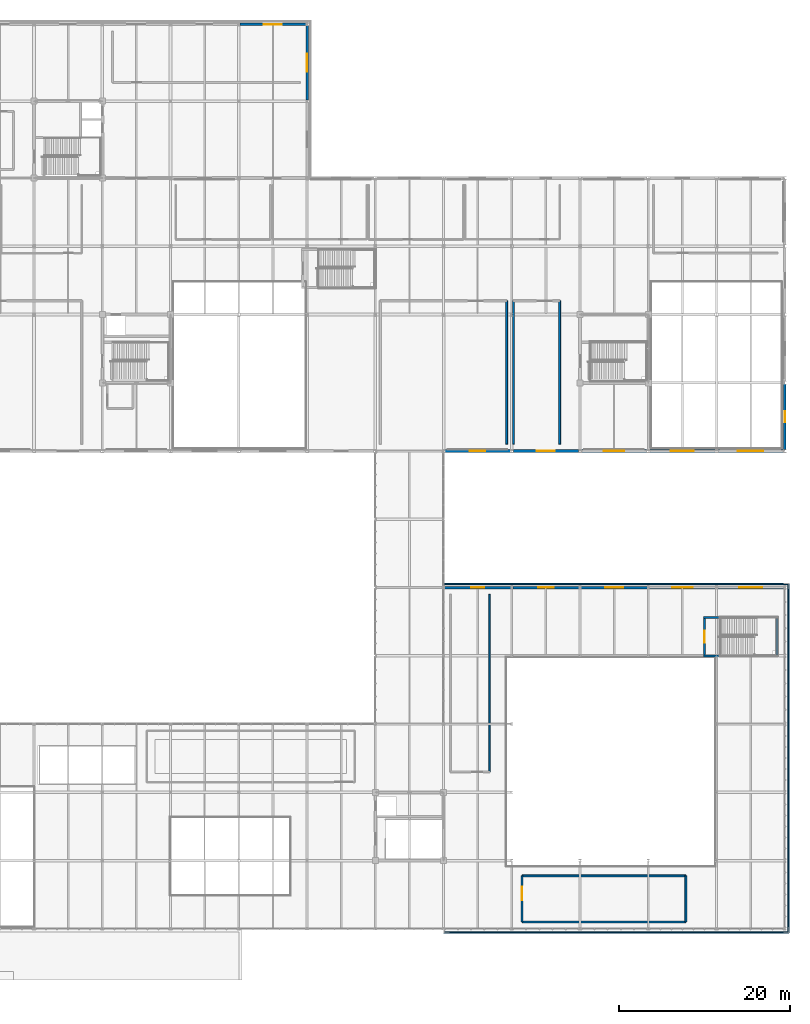
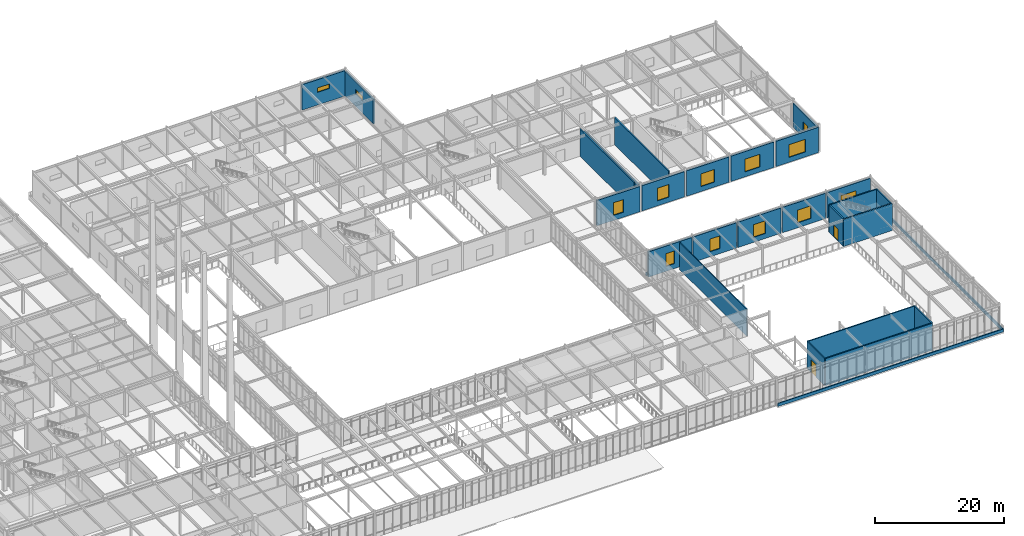
# One storey, part 168 of 184: 28 walls, 13 windows, 2 doors, 15 openings.
"""IFC4 building model written with IfcOpenShell, lengths in metres."""

from ifc_helpers import new_model, si_unit, direction, frame, frame_2d, origin, place, context, subcontext, project, spatial, rectangle, extrude, material, layer, layer_set, type_object, element, fill, save


model = new_model("IFC4")

# Units and contexts
model_context = context("Model", 3, precision=1e-05, world=origin(), true_north=direction((0.0, 1.0)))
body_context = subcontext(model_context, "Body", "Model", "MODEL_VIEW")
ifc_project = project(units=[si_unit("LENGTHUNIT", "METRE"), si_unit("AREAUNIT", "SQUARE_METRE"), si_unit("VOLUMEUNIT", "CUBIC_METRE"), si_unit("PLANEANGLEUNIT", "RADIAN"), si_unit("MASSUNIT", "GRAM", prefix="KILO")], contexts=[model_context])

# Site, building, storey
site_placement = place(None, origin())
site = spatial("IfcSite", under=ifc_project, at=site_placement, CompositionType="ELEMENT")
building_placement = place(site_placement, origin())
building = spatial("IfcBuilding", under=site, at=building_placement, Name="Zhaolan Boulevard Law Courts", CompositionType="ELEMENT")
storey_placement = place(building_placement, frame((0.0, 0.0, 5.39990234375)))
storey = spatial("IfcBuildingStorey", under=building, at=storey_placement, Name="L01", CompositionType="ELEMENT", Elevation=5.39990234375)

# Walls
ifc_material_1 = material(Name="Concrete C40", Category="concrete")
ifc_layer_1 = layer(ifc_material_1, 0.179931640625)
ifc_layer_set_1 = layer_set([ifc_layer_1])
wall_type_1 = type_object("IfcWallType", Name="EXT WALL ARCH CLAD180", PredefinedType="SOLIDWALL", material=ifc_layer_set_1)
wall_1_placement = place(storey_placement, frame((124.0, 5.56005859375, 0.0), z_axis=(0.0, 0.0, 1.0), x_axis=(1.0, 0.0, 0.0)))
element("IfcWall", 1, at=wall_1_placement, inside=storey, type_object=wall_type_1, Name="Architectural Concrete Spandrel Band CBW-002", PredefinedType="SOLIDWALL", context=body_context, shape_type="SweptSolid", body=[
    extrude(rectangle(XDim=40.43994140625, YDim=0.179931640625, at=frame_2d((20.219970703125, 0.0))), origin(), (0.0, 0.0, 1.0), 0.580078125),
])
wall_2_placement = place(storey_placement, frame((164.43994140625, 5.56005859375, 0.0), z_axis=(0.0, 0.0, 1.0), x_axis=(0.0, 1.0, 0.0)))
element("IfcWall", 2, at=wall_2_placement, inside=storey, type_object=wall_type_1, Name="Architectural Concrete Spandrel Band CBW-005", PredefinedType="SOLIDWALL", context=body_context, shape_type="SweptSolid", body=[
    extrude(rectangle(XDim=40.8798828125, YDim=0.179931640625, at=frame_2d((20.43994140625, 0.0))), origin(), (0.0, 0.0, 1.0), 0.580078125),
])
wall_3_placement = place(storey_placement, frame((164.43994140625, 46.43994140625, 0.0), z_axis=(0.0, 0.0, 1.0), x_axis=(-1.0, 0.0, 0.0)))
element("IfcWall", 3, at=wall_3_placement, inside=storey, type_object=wall_type_1, Name="Architectural Concrete Spandrel Band CBW-008", PredefinedType="SOLIDWALL", context=body_context, shape_type="SweptSolid", body=[
    extrude(rectangle(XDim=40.43994140625, YDim=0.179931640625, at=frame_2d((20.219970703125, 0.0))), origin(), (0.0, 0.0, 1.0), 0.580078125),
])

# Wall, opening, window
ifc_material_2 = material(Name="Concrete C40", Category="concrete")
ifc_layer_2 = layer(ifc_material_2, 0.300048828125)
ifc_layer_set_2 = layer_set([ifc_layer_2])
wall_type_2 = type_object("IfcWallType", Name="EXT WALL CONCRETE300", PredefinedType="SOLIDWALL", material=ifc_layer_set_2)
wall_4_placement = place(storey_placement, frame((131.87890625, 46.0, 0.0), z_axis=(0.0, 0.0, 1.0), x_axis=(-1.0, 0.0, 0.0)))
wall_4 = element("IfcWall", 4, at=wall_4_placement, inside=storey, type_object=wall_type_2, Name="Exterior Wall EW-L01-158", PredefinedType="SOLIDWALL", context=body_context, shape_type="SweptSolid", body=[
    extrude(rectangle(XDim=7.7578125, YDim=0.300048828125, at=frame_2d((3.87890625, 0.0))), origin(), (0.0, 0.0, 1.0), 4.802978515625),
])
opening_1_placement = place(wall_4_placement, frame((3.12890625, 0.0, 0.949951171875)))
opening_1 = element("IfcOpeningElement", 5, at=opening_1_placement, cuts=wall_4, Name="Opening WIN-L01-019", PredefinedType="OPENING", context=body_context, shape_type="SweptSolid", body=[
    extrude(rectangle(XDim=1.5, YDim=2.39990234375, at=frame_2d((0.75, 1.199951171875))), frame((0.0, 0.159912109375, 0.0), z_axis=(0.0, -1.0, 0.0), x_axis=(1.0, 0.0, 0.0)), (0.0, 0.0, 1.0), 0.320068359375),
])
ifc_material_3 = material(Name="Thermally broken aluminium and low-E glazing", Category="aluminium")
window_type_1 = type_object("IfcWindowType", Name="WINDOW 1500X2400", PartitioningType="SINGLE_PANEL", PredefinedType="WINDOW", material=ifc_material_3)
window_1_placement = place(opening_1_placement, origin())
window_1 = element("IfcWindow", 6, at=window_1_placement, inside=storey, type_object=window_type_1, Name="Exterior Window WIN-L01-019", OverallHeight=2.39990234375, OverallWidth=1.5, PartitioningType="SINGLE_PANEL", PredefinedType="WINDOW", context=body_context, shape_type="SweptSolid", body=[
    extrude(rectangle(XDim=1.5, YDim=2.39990234375, at=frame_2d((0.75, 1.199951171875))), frame((0.0, 0.030029296875, 0.0), z_axis=(0.0, -1.0, 0.0), x_axis=(1.0, 0.0, 0.0)), (0.0, 0.0, 1.0), 0.06005859375),
])
fill(opening_1, window_1)

wall_5_placement = place(storey_placement, frame((139.87890625, 46.0, 0.0), z_axis=(0.0, 0.0, 1.0), x_axis=(-1.0, 0.0, 0.0)))
wall_5 = element("IfcWall", 7, at=wall_5_placement, inside=storey, type_object=wall_type_2, Name="Exterior Wall EW-L01-159", PredefinedType="SOLIDWALL", context=body_context, shape_type="SweptSolid", body=[
    extrude(rectangle(XDim=7.7578125, YDim=0.300048828125, at=frame_2d((3.87890625, 0.0))), origin(), (0.0, 0.0, 1.0), 4.802978515625),
])
opening_2_placement = place(wall_5_placement, frame((2.97900390625, 0.0, 0.949951171875)))
opening_2 = element("IfcOpeningElement", 8, at=opening_2_placement, cuts=wall_5, Name="Opening WIN-L01-020", PredefinedType="OPENING", context=body_context, shape_type="SweptSolid", body=[
    extrude(rectangle(XDim=1.800048828125, YDim=2.39990234375, at=frame_2d((0.89990234375, 1.199951171875))), frame((0.0, 0.159912109375, 0.0), z_axis=(0.0, -1.0, 0.0), x_axis=(1.0, 0.0, 0.0)), (0.0, 0.0, 1.0), 0.320068359375),
])
ifc_material_4 = material(Name="Thermally broken aluminium and low-E glazing", Category="aluminium")
window_type_2 = type_object("IfcWindowType", Name="WINDOW 1800X2400", PartitioningType="DOUBLE_PANEL_VERTICAL", PredefinedType="WINDOW", material=ifc_material_4)
window_2_placement = place(opening_2_placement, origin())
window_2 = element("IfcWindow", 9, at=window_2_placement, inside=storey, type_object=window_type_2, Name="Exterior Window WIN-L01-020", OverallHeight=2.39990234375, OverallWidth=1.800048828125, PartitioningType="SINGLE_PANEL", PredefinedType="WINDOW", context=body_context, shape_type="SweptSolid", body=[
    extrude(rectangle(XDim=1.800048828125, YDim=2.39990234375, at=frame_2d((0.89990234375, 1.199951171875))), frame((0.0, 0.030029296875, 0.0), z_axis=(0.0, -1.0, 0.0), x_axis=(1.0, 0.0, 0.0)), (0.0, 0.0, 1.0), 0.06005859375),
])
fill(opening_2, window_2)

wall_6_placement = place(storey_placement, frame((147.87890625, 46.0, 0.0), z_axis=(0.0, 0.0, 1.0), x_axis=(-1.0, 0.0, 0.0)))
wall_6 = element("IfcWall", 10, at=wall_6_placement, inside=storey, type_object=wall_type_2, Name="Exterior Wall EW-L01-160", PredefinedType="SOLIDWALL", context=body_context, shape_type="SweptSolid", body=[
    extrude(rectangle(XDim=7.7578125, YDim=0.300048828125, at=frame_2d((3.87890625, 0.0))), origin(), (0.0, 0.0, 1.0), 4.802978515625),
])
opening_3_placement = place(wall_6_placement, frame((2.8291015625, 0.0, 0.949951171875)))
opening_3 = element("IfcOpeningElement", 11, at=opening_3_placement, cuts=wall_6, Name="Opening WIN-L01-021", PredefinedType="OPENING", context=body_context, shape_type="SweptSolid", body=[
    extrude(rectangle(XDim=2.10009765625, YDim=2.39990234375, at=frame_2d((1.050048828125, 1.199951171875))), frame((0.0, 0.159912109375, 0.0), z_axis=(0.0, -1.0, 0.0), x_axis=(1.0, 0.0, 0.0)), (0.0, 0.0, 1.0), 0.320068359375),
])
ifc_material_5 = material(Name="Thermally broken aluminium and low-E glazing", Category="aluminium")
window_type_3 = type_object("IfcWindowType", Name="WINDOW 2100X2400", PartitioningType="DOUBLE_PANEL_VERTICAL", PredefinedType="WINDOW", material=ifc_material_5)
window_3_placement = place(opening_3_placement, origin())
window_3 = element("IfcWindow", 12, at=window_3_placement, inside=storey, type_object=window_type_3, Name="Exterior Window WIN-L01-021", OverallHeight=2.39990234375, OverallWidth=2.10009765625, PartitioningType="SINGLE_PANEL", PredefinedType="WINDOW", context=body_context, shape_type="SweptSolid", body=[
    extrude(rectangle(XDim=2.10009765625, YDim=2.39990234375, at=frame_2d((1.050048828125, 1.199951171875))), frame((0.0, 0.030029296875, 0.0), z_axis=(0.0, -1.0, 0.0), x_axis=(1.0, 0.0, 0.0)), (0.0, 0.0, 1.0), 0.06005859375),
])
fill(opening_3, window_3)

wall_7_placement = place(storey_placement, frame((155.87890625, 46.0, 0.0), z_axis=(0.0, 0.0, 1.0), x_axis=(-1.0, 0.0, 0.0)))
wall_7 = element("IfcWall", 13, at=wall_7_placement, inside=storey, type_object=wall_type_2, Name="Exterior Wall EW-L01-161", PredefinedType="SOLIDWALL", context=body_context, shape_type="SweptSolid", body=[
    extrude(rectangle(XDim=7.7578125, YDim=0.300048828125, at=frame_2d((3.87890625, 0.0))), origin(), (0.0, 0.0, 1.0), 4.802978515625),
])
opening_4_placement = place(wall_7_placement, frame((2.678955078125, 0.0, 0.949951171875)))
opening_4 = element("IfcOpeningElement", 14, at=opening_4_placement, cuts=wall_7, Name="Opening WIN-L01-022", PredefinedType="OPENING", context=body_context, shape_type="SweptSolid", body=[
    extrude(rectangle(XDim=2.39990234375, YDim=2.39990234375, at=frame_2d((1.199951171875, 1.199951171875))), frame((0.0, 0.159912109375, 0.0), z_axis=(0.0, -1.0, 0.0), x_axis=(1.0, 0.0, 0.0)), (0.0, 0.0, 1.0), 0.320068359375),
])
ifc_material_6 = material(Name="Thermally broken aluminium and low-E glazing", Category="aluminium")
window_type_4 = type_object("IfcWindowType", Name="WINDOW 2400X2400", PartitioningType="DOUBLE_PANEL_VERTICAL", PredefinedType="WINDOW", material=ifc_material_6)
window_4_placement = place(opening_4_placement, origin())
window_4 = element("IfcWindow", 15, at=window_4_placement, inside=storey, type_object=window_type_4, Name="Exterior Window WIN-L01-022", OverallHeight=2.39990234375, OverallWidth=2.39990234375, PartitioningType="SINGLE_PANEL", PredefinedType="WINDOW", context=body_context, shape_type="SweptSolid", body=[
    extrude(rectangle(XDim=2.39990234375, YDim=2.39990234375, at=frame_2d((1.199951171875, 1.199951171875))), frame((0.0, 0.030029296875, 0.0), z_axis=(0.0, -1.0, 0.0), x_axis=(1.0, 0.0, 0.0)), (0.0, 0.0, 1.0), 0.06005859375),
])
fill(opening_4, window_4)

wall_8_placement = place(storey_placement, frame((163.87890625, 46.0, 0.0), z_axis=(0.0, 0.0, 1.0), x_axis=(-1.0, 0.0, 0.0)))
wall_8 = element("IfcWall", 16, at=wall_8_placement, inside=storey, type_object=wall_type_2, Name="Exterior Wall EW-L01-162", PredefinedType="SOLIDWALL", context=body_context, shape_type="SweptSolid", body=[
    extrude(rectangle(XDim=7.7578125, YDim=0.300048828125, at=frame_2d((3.87890625, 0.0))), origin(), (0.0, 0.0, 1.0), 4.802978515625),
])
opening_5_placement = place(wall_8_placement, frame((2.529052734375, 0.0, 0.949951171875)))
opening_5 = element("IfcOpeningElement", 17, at=opening_5_placement, cuts=wall_8, Name="Opening WIN-L01-023", PredefinedType="OPENING", context=body_context, shape_type="SweptSolid", body=[
    extrude(rectangle(XDim=2.699951171875, YDim=2.39990234375, at=frame_2d((1.35009765625, 1.199951171875))), frame((0.0, 0.159912109375, 0.0), z_axis=(0.0, -1.0, 0.0), x_axis=(1.0, 0.0, 0.0)), (0.0, 0.0, 1.0), 0.320068359375),
])
ifc_material_7 = material(Name="Thermally broken aluminium and low-E glazing", Category="aluminium")
window_type_5 = type_object("IfcWindowType", Name="WINDOW 2700X2400", PartitioningType="DOUBLE_PANEL_VERTICAL", PredefinedType="WINDOW", material=ifc_material_7)
window_5_placement = place(opening_5_placement, origin())
window_5 = element("IfcWindow", 18, at=window_5_placement, inside=storey, type_object=window_type_5, Name="Exterior Window WIN-L01-023", OverallHeight=2.39990234375, OverallWidth=2.699951171875, PartitioningType="SINGLE_PANEL", PredefinedType="WINDOW", context=body_context, shape_type="SweptSolid", body=[
    extrude(rectangle(XDim=2.699951171875, YDim=2.39990234375, at=frame_2d((1.35009765625, 1.199951171875))), frame((0.0, 0.030029296875, 0.0), z_axis=(0.0, -1.0, 0.0), x_axis=(1.0, 0.0, 0.0)), (0.0, 0.0, 1.0), 0.06005859375),
])
fill(opening_5, window_5)

wall_9_placement = place(storey_placement, frame((124.1708984375, 62.0, 0.0), z_axis=(0.0, 0.0, 1.0), x_axis=(1.0, 0.0, 0.0)))
wall_9 = element("IfcWall", 19, at=wall_9_placement, inside=storey, type_object=wall_type_2, Name="Exterior Wall EW-L01-212", PredefinedType="SOLIDWALL", context=body_context, shape_type="SweptSolid", body=[
    extrude(rectangle(XDim=7.658203125, YDim=0.300048828125, at=frame_2d((3.8291015625, 0.0))), origin(), (0.0, 0.0, 1.0), 4.802978515625),
])
opening_6_placement = place(wall_9_placement, frame((2.928955078125, 0.0, 0.949951171875)))
opening_6 = element("IfcOpeningElement", 20, at=opening_6_placement, cuts=wall_9, Name="Opening WIN-L01-069", PredefinedType="OPENING", context=body_context, shape_type="SweptSolid", body=[
    extrude(rectangle(XDim=1.800048828125, YDim=2.39990234375, at=frame_2d((0.89990234375, 1.199951171875))), frame((0.0, 0.159912109375, 0.0), z_axis=(0.0, -1.0, 0.0), x_axis=(1.0, 0.0, 0.0)), (0.0, 0.0, 1.0), 0.320068359375),
])
window_6_placement = place(opening_6_placement, origin())
window_6 = element("IfcWindow", 21, at=window_6_placement, inside=storey, type_object=window_type_2, Name="Exterior Window WIN-L01-069", OverallHeight=2.39990234375, OverallWidth=1.800048828125, PartitioningType="SINGLE_PANEL", PredefinedType="WINDOW", context=body_context, shape_type="SweptSolid", body=[
    extrude(rectangle(XDim=1.800048828125, YDim=2.39990234375, at=frame_2d((0.89990234375, 1.199951171875))), frame((0.0, 0.030029296875, 0.0), z_axis=(0.0, -1.0, 0.0), x_axis=(1.0, 0.0, 0.0)), (0.0, 0.0, 1.0), 0.06005859375),
])
fill(opening_6, window_6)

wall_10_placement = place(storey_placement, frame((132.1708984375, 62.0, 0.0), z_axis=(0.0, 0.0, 1.0), x_axis=(1.0, 0.0, 0.0)))
wall_10 = element("IfcWall", 22, at=wall_10_placement, inside=storey, type_object=wall_type_2, Name="Exterior Wall EW-L01-213", PredefinedType="SOLIDWALL", context=body_context, shape_type="SweptSolid", body=[
    extrude(rectangle(XDim=7.658203125, YDim=0.300048828125, at=frame_2d((3.8291015625, 0.0))), origin(), (0.0, 0.0, 1.0), 4.802978515625),
])
opening_7_placement = place(wall_10_placement, frame((2.779052734375, 0.0, 0.949951171875)))
opening_7 = element("IfcOpeningElement", 23, at=opening_7_placement, cuts=wall_10, Name="Opening WIN-L01-070", PredefinedType="OPENING", context=body_context, shape_type="SweptSolid", body=[
    extrude(rectangle(XDim=2.10009765625, YDim=2.39990234375, at=frame_2d((1.050048828125, 1.199951171875))), frame((0.0, 0.159912109375, 0.0), z_axis=(0.0, -1.0, 0.0), x_axis=(1.0, 0.0, 0.0)), (0.0, 0.0, 1.0), 0.320068359375),
])
window_7_placement = place(opening_7_placement, origin())
window_7 = element("IfcWindow", 24, at=window_7_placement, inside=storey, type_object=window_type_3, Name="Exterior Window WIN-L01-070", OverallHeight=2.39990234375, OverallWidth=2.10009765625, PartitioningType="SINGLE_PANEL", PredefinedType="WINDOW", context=body_context, shape_type="SweptSolid", body=[
    extrude(rectangle(XDim=2.10009765625, YDim=2.39990234375, at=frame_2d((1.050048828125, 1.199951171875))), frame((0.0, 0.030029296875, 0.0), z_axis=(0.0, -1.0, 0.0), x_axis=(1.0, 0.0, 0.0)), (0.0, 0.0, 1.0), 0.06005859375),
])
fill(opening_7, window_7)

wall_11_placement = place(storey_placement, frame((140.1708984375, 62.0, 0.0), z_axis=(0.0, 0.0, 1.0), x_axis=(1.0, 0.0, 0.0)))
wall_11 = element("IfcWall", 25, at=wall_11_placement, inside=storey, type_object=wall_type_2, Name="Exterior Wall EW-L01-214", PredefinedType="SOLIDWALL", context=body_context, shape_type="SweptSolid", body=[
    extrude(rectangle(XDim=7.658203125, YDim=0.300048828125, at=frame_2d((3.8291015625, 0.0))), origin(), (0.0, 0.0, 1.0), 4.802978515625),
])
opening_8_placement = place(wall_11_placement, frame((2.62890625, 0.0, 0.949951171875)))
opening_8 = element("IfcOpeningElement", 26, at=opening_8_placement, cuts=wall_11, Name="Opening WIN-L01-071", PredefinedType="OPENING", context=body_context, shape_type="SweptSolid", body=[
    extrude(rectangle(XDim=2.39990234375, YDim=2.39990234375, at=frame_2d((1.199951171875, 1.199951171875))), frame((0.0, 0.159912109375, 0.0), z_axis=(0.0, -1.0, 0.0), x_axis=(1.0, 0.0, 0.0)), (0.0, 0.0, 1.0), 0.320068359375),
])
window_8_placement = place(opening_8_placement, origin())
window_8 = element("IfcWindow", 27, at=window_8_placement, inside=storey, type_object=window_type_4, Name="Exterior Window WIN-L01-071", OverallHeight=2.39990234375, OverallWidth=2.39990234375, PartitioningType="SINGLE_PANEL", PredefinedType="WINDOW", context=body_context, shape_type="SweptSolid", body=[
    extrude(rectangle(XDim=2.39990234375, YDim=2.39990234375, at=frame_2d((1.199951171875, 1.199951171875))), frame((0.0, 0.030029296875, 0.0), z_axis=(0.0, -1.0, 0.0), x_axis=(1.0, 0.0, 0.0)), (0.0, 0.0, 1.0), 0.06005859375),
])
fill(opening_8, window_8)

wall_12_placement = place(storey_placement, frame((148.1708984375, 62.0, 0.0), z_axis=(0.0, 0.0, 1.0), x_axis=(1.0, 0.0, 0.0)))
wall_12 = element("IfcWall", 28, at=wall_12_placement, inside=storey, type_object=wall_type_2, Name="Exterior Wall EW-L01-215", PredefinedType="SOLIDWALL", context=body_context, shape_type="SweptSolid", body=[
    extrude(rectangle(XDim=7.658203125, YDim=0.300048828125, at=frame_2d((3.8291015625, 0.0))), origin(), (0.0, 0.0, 1.0), 4.802978515625),
])
opening_9_placement = place(wall_12_placement, frame((2.47900390625, 0.0, 0.949951171875)))
opening_9 = element("IfcOpeningElement", 29, at=opening_9_placement, cuts=wall_12, Name="Opening WIN-L01-072", PredefinedType="OPENING", context=body_context, shape_type="SweptSolid", body=[
    extrude(rectangle(XDim=2.699951171875, YDim=2.39990234375, at=frame_2d((1.35009765625, 1.199951171875))), frame((0.0, 0.159912109375, 0.0), z_axis=(0.0, -1.0, 0.0), x_axis=(1.0, 0.0, 0.0)), (0.0, 0.0, 1.0), 0.320068359375),
])
window_9_placement = place(opening_9_placement, origin())
window_9 = element("IfcWindow", 30, at=window_9_placement, inside=storey, type_object=window_type_5, Name="Exterior Window WIN-L01-072", OverallHeight=2.39990234375, OverallWidth=2.699951171875, PartitioningType="SINGLE_PANEL", PredefinedType="WINDOW", context=body_context, shape_type="SweptSolid", body=[
    extrude(rectangle(XDim=2.699951171875, YDim=2.39990234375, at=frame_2d((1.35009765625, 1.199951171875))), frame((0.0, 0.030029296875, 0.0), z_axis=(0.0, -1.0, 0.0), x_axis=(1.0, 0.0, 0.0)), (0.0, 0.0, 1.0), 0.06005859375),
])
fill(opening_9, window_9)

wall_13_placement = place(storey_placement, frame((156.1708984375, 62.0, 0.0), z_axis=(0.0, 0.0, 1.0), x_axis=(1.0, 0.0, 0.0)))
wall_13 = element("IfcWall", 31, at=wall_13_placement, inside=storey, type_object=wall_type_2, Name="Exterior Wall EW-L01-216", PredefinedType="SOLIDWALL", context=body_context, shape_type="SweptSolid", body=[
    extrude(rectangle(XDim=7.658203125, YDim=0.300048828125, at=frame_2d((3.8291015625, 0.0))), origin(), (0.0, 0.0, 1.0), 4.802978515625),
])
opening_10_placement = place(wall_13_placement, frame((2.3291015625, 0.0, 0.949951171875)))
opening_10 = element("IfcOpeningElement", 32, at=opening_10_placement, cuts=wall_13, Name="Opening WIN-L01-073", PredefinedType="OPENING", context=body_context, shape_type="SweptSolid", body=[
    extrude(rectangle(XDim=3.0, YDim=2.39990234375, at=frame_2d((1.5, 1.199951171875))), frame((0.0, 0.159912109375, 0.0), z_axis=(0.0, -1.0, 0.0), x_axis=(1.0, 0.0, 0.0)), (0.0, 0.0, 1.0), 0.320068359375),
])
ifc_material_8 = material(Name="Thermally broken aluminium and low-E glazing", Category="aluminium")
window_type_6 = type_object("IfcWindowType", Name="WINDOW 3000X2400", PartitioningType="DOUBLE_PANEL_VERTICAL", PredefinedType="WINDOW", material=ifc_material_8)
window_10_placement = place(opening_10_placement, origin())
window_10 = element("IfcWindow", 33, at=window_10_placement, inside=storey, type_object=window_type_6, Name="Exterior Window WIN-L01-073", OverallHeight=2.39990234375, OverallWidth=3.0, PartitioningType="SINGLE_PANEL", PredefinedType="WINDOW", context=body_context, shape_type="SweptSolid", body=[
    extrude(rectangle(XDim=3.0, YDim=2.39990234375, at=frame_2d((1.5, 1.199951171875))), frame((0.0, 0.030029296875, 0.0), z_axis=(0.0, -1.0, 0.0), x_axis=(1.0, 0.0, 0.0)), (0.0, 0.0, 1.0), 0.06005859375),
])
fill(opening_10, window_10)

wall_14_placement = place(storey_placement, frame((164.0, 62.1708984375, 0.0), z_axis=(0.0, 0.0, 1.0), x_axis=(0.0, 1.0, 0.0)))
wall_14 = element("IfcWall", 34, at=wall_14_placement, inside=storey, type_object=wall_type_2, Name="Exterior Wall EW-L01-233", PredefinedType="SOLIDWALL", context=body_context, shape_type="SweptSolid", body=[
    extrude(rectangle(XDim=7.658203125, YDim=0.300048828125, at=frame_2d((3.8291015625, 0.0))), origin(), (0.0, 0.0, 1.0), 4.503173828125),
])
opening_11_placement = place(wall_14_placement, frame((3.178955078125, 0.0, 0.949951171875)))
opening_11 = element("IfcOpeningElement", 35, at=opening_11_placement, cuts=wall_14, Name="Opening WIN-L01-090", PredefinedType="OPENING", context=body_context, shape_type="SweptSolid", body=[
    extrude(rectangle(XDim=1.300048828125, YDim=1.949951171875, at=frame_2d((0.64990234375, 0.97509765625))), frame((0.0, 0.159912109375, 0.0), z_axis=(0.0, -1.0, 0.0), x_axis=(1.0, 0.0, 0.0)), (0.0, 0.0, 1.0), 0.320068359375),
])
ifc_material_9 = material(Name="Thermally broken aluminium and low-E glazing", Category="aluminium")
window_type_7 = type_object("IfcWindowType", Name="WINDOW 1300X1950", PartitioningType="SINGLE_PANEL", PredefinedType="WINDOW", material=ifc_material_9)
window_11_placement = place(opening_11_placement, origin())
window_11 = element("IfcWindow", 36, at=window_11_placement, inside=storey, type_object=window_type_7, Name="Exterior Window WIN-L01-090", OverallHeight=1.949951171875, OverallWidth=1.300048828125, PartitioningType="SINGLE_PANEL", PredefinedType="WINDOW", context=body_context, shape_type="SweptSolid", body=[
    extrude(rectangle(XDim=1.300048828125, YDim=1.949951171875, at=frame_2d((0.64990234375, 0.97509765625))), frame((0.0, 0.030029296875, 0.0), z_axis=(0.0, -1.0, 0.0), x_axis=(1.0, 0.0, 0.0)), (0.0, 0.0, 1.0), 0.06005859375),
])
fill(opening_11, window_11)

wall_15_placement = place(storey_placement, frame((107.87890625, 112.0, 0.0), z_axis=(0.0, 0.0, 1.0), x_axis=(-1.0, 0.0, 0.0)))
wall_15 = element("IfcWall", 37, at=wall_15_placement, inside=storey, type_object=wall_type_2, Name="Exterior Wall EW-L01-323", PredefinedType="SOLIDWALL", context=body_context, shape_type="SweptSolid", body=[
    extrude(rectangle(XDim=7.7578125, YDim=0.300048828125, at=frame_2d((3.87890625, 0.0))), origin(), (0.0, 0.0, 1.0), 4.822998046875),
])
opening_12_placement = place(wall_15_placement, frame((2.8291015625, 0.0, 2.39990234375)))
opening_12 = element("IfcOpeningElement", 38, at=opening_12_placement, cuts=wall_15, Name="Opening WIN-L01-178", PredefinedType="OPENING", context=body_context, shape_type="SweptSolid", body=[
    extrude(rectangle(XDim=2.10009765625, YDim=0.85009765625, at=frame_2d((1.050048828125, 0.425048828125))), frame((0.0, 0.159912109375, 0.0), z_axis=(0.0, -1.0, 0.0), x_axis=(1.0, 0.0, 0.0)), (0.0, 0.0, 1.0), 0.320068359375),
])
ifc_material_10 = material(Name="Thermally broken aluminium and low-E glazing", Category="aluminium")
window_type_8 = type_object("IfcWindowType", Name="WINDOW 2100X850", PartitioningType="DOUBLE_PANEL_VERTICAL", PredefinedType="WINDOW", material=ifc_material_10)
window_12_placement = place(opening_12_placement, origin())
window_12 = element("IfcWindow", 39, at=window_12_placement, inside=storey, type_object=window_type_8, Name="Exterior Window WIN-L01-178", OverallHeight=0.85009765625, OverallWidth=2.10009765625, PartitioningType="SINGLE_PANEL", PredefinedType="WINDOW", context=body_context, shape_type="SweptSolid", body=[
    extrude(rectangle(XDim=2.10009765625, YDim=0.85009765625, at=frame_2d((1.050048828125, 0.425048828125))), frame((0.0, 0.030029296875, 0.0), z_axis=(0.0, -1.0, 0.0), x_axis=(1.0, 0.0, 0.0)), (0.0, 0.0, 1.0), 0.06005859375),
])
fill(opening_12, window_12)

wall_16_placement = place(storey_placement, frame((108.0, 103.12109375, 0.0), z_axis=(0.0, 0.0, 1.0), x_axis=(0.0, 1.0, 0.0)))
wall_16 = element("IfcWall", 40, at=wall_16_placement, inside=storey, type_object=wall_type_2, Name="Exterior Wall EW-L01-327", PredefinedType="SOLIDWALL", context=body_context, shape_type="SweptSolid", body=[
    extrude(rectangle(XDim=8.7578125, YDim=0.300048828125, at=frame_2d((4.37890625, 0.0))), origin(), (0.0, 0.0, 1.0), 4.64111328125),
])
opening_13_placement = place(wall_16_placement, frame((3.3291015625, 0.0, 2.39990234375)))
opening_13 = element("IfcOpeningElement", 41, at=opening_13_placement, cuts=wall_16, Name="Opening WIN-L01-182", PredefinedType="OPENING", context=body_context, shape_type="SweptSolid", body=[
    extrude(rectangle(XDim=2.10009765625, YDim=0.85009765625, at=frame_2d((1.050048828125, 0.425048828125))), frame((0.0, 0.159912109375, 0.0), z_axis=(0.0, -1.0, 0.0), x_axis=(1.0, 0.0, 0.0)), (0.0, 0.0, 1.0), 0.320068359375),
])
window_13_placement = place(opening_13_placement, origin())
window_13 = element("IfcWindow", 42, at=window_13_placement, inside=storey, type_object=window_type_8, Name="Exterior Window WIN-L01-182", OverallHeight=0.85009765625, OverallWidth=2.10009765625, PartitioningType="SINGLE_PANEL", PredefinedType="WINDOW", context=body_context, shape_type="SweptSolid", body=[
    extrude(rectangle(XDim=2.10009765625, YDim=0.85009765625, at=frame_2d((1.050048828125, 0.425048828125))), frame((0.0, 0.030029296875, 0.0), z_axis=(0.0, -1.0, 0.0), x_axis=(1.0, 0.0, 0.0)), (0.0, 0.0, 1.0), 0.06005859375),
])
fill(opening_13, window_13)

# Walls
ifc_material_11 = material(Name="Fire-rated gypsum stud partition")
ifc_layer_3 = layer(ifc_material_11, 0.159912109375)
ifc_layer_set_3 = layer_set([ifc_layer_3])
wall_type_3 = type_object("IfcWallType", Name="PART WALL CHAMB160", PredefinedType="PARTITIONING", material=ifc_layer_set_3)
wall_17_placement = place(storey_placement, frame((129.39990234375, 24.39990234375, 0.0), z_axis=(0.0, 0.0, 1.0), x_axis=(0.0, 1.0, 0.0)))
element("IfcWall", 43, at=wall_17_placement, inside=storey, type_object=wall_type_3, Name="Interior Partition PW-L01-366", PredefinedType="PARTITIONING", context=body_context, shape_type="SweptSolid", body=[
    extrude(rectangle(XDim=20.800048828125, YDim=0.159912109375, at=frame_2d((10.39990234375, 0.0))), origin(), (0.0, 0.0, 1.0), 5.1201171875),
])
ifc_material_12 = material(Name="Concrete C40", Category="concrete")
ifc_layer_4 = layer(ifc_material_12, 0.219970703125)
ifc_layer_set_4 = layer_set([ifc_layer_4])
wall_type_4 = type_object("IfcWallType", Name="PART WALL COURT220", PredefinedType="PARTITIONING", material=ifc_layer_set_4)
for number, where, z_axis, x_axis, name in (
    (44, (133.199951171875, 6.800048828125, 0.0), (0.0, 0.0, 1.0), (1.0, 0.0, 0.0), "Interior Partition PW-L01-360"),
    (45, (152.39990234375, 12.199951171875, 0.0), (0.0, 0.0, 1.0), (-1.0, 0.0, 0.0), "Interior Partition PW-L01-361"),
):
    element("IfcWall", number, at=place(storey_placement, frame(where, z_axis=z_axis, x_axis=x_axis)), inside=storey, type_object=wall_type_4, Name=name, PredefinedType="PARTITIONING", context=body_context, shape_type="SweptSolid", body=[
        extrude(rectangle(XDim=19.199951171875, YDim=0.219970703125, at=frame_2d((9.60009765625, 0.0))), origin(), (0.0, 0.0, 1.0), 5.1201171875),
    ])

# Wall, opening, door
wall_18_placement = place(storey_placement, frame((133.199951171875, 12.199951171875, 0.0), z_axis=(0.0, 0.0, 1.0), x_axis=(0.0, -1.0, 0.0)))
wall_18 = element("IfcWall", 46, at=wall_18_placement, inside=storey, type_object=wall_type_4, Name="Interior Partition PW-L01-362", PredefinedType="PARTITIONING", context=body_context, shape_type="SweptSolid", body=[
    extrude(rectangle(XDim=5.39990234375, YDim=0.219970703125, at=frame_2d((2.699951171875, 0.0))), origin(), (0.0, 0.0, 1.0), 5.1201171875),
])
opening_14_placement = place(wall_18_placement, frame((1.260009765625, 0.0, 0.0)))
opening_14 = element("IfcOpeningElement", 47, at=opening_14_placement, cuts=wall_18, Name="Opening ID-L01-112", PredefinedType="OPENING", context=body_context, shape_type="SweptSolid", body=[
    extrude(rectangle(XDim=1.60009765625, YDim=2.35009765625, at=frame_2d((0.800048828125, 1.175048828125))), frame((0.0, 0.119873046875, 0.0), z_axis=(0.0, -1.0, 0.0), x_axis=(1.0, 0.0, 0.0)), (0.0, 0.0, 1.0), 0.239990234375),
])
ifc_material_13 = material(Name="Solid-core acoustic oak veneer door")
door_type_1 = type_object("IfcDoorType", Name="COURT DOUBLE 1600X2350", OperationType="DOUBLE_DOOR_SINGLE_SWING", PredefinedType="DOOR", material=ifc_material_13)
door_1_placement = place(opening_14_placement, origin())
door_1 = element("IfcDoor", 48, at=door_1_placement, inside=storey, type_object=door_type_1, Name="Door ID-L01-112 (Ceremonial Courtroom Gallery)", OperationType="DOUBLE_DOOR_SINGLE_SWING", OverallHeight=2.35009765625, OverallWidth=1.60009765625, PredefinedType="DOOR", context=body_context, shape_type="SweptSolid", body=[
    extrude(rectangle(XDim=1.60009765625, YDim=2.35009765625, at=frame_2d((0.800048828125, 1.175048828125))), frame((0.0, 0.02490234375, 0.0), z_axis=(0.0, -1.0, 0.0), x_axis=(1.0, 0.0, 0.0)), (0.0, 0.0, 1.0), 0.050048828125),
])
fill(opening_14, door_1)

# Walls
wall_19_placement = place(storey_placement, frame((152.39990234375, 6.800048828125, 0.0), z_axis=(0.0, 0.0, 1.0), x_axis=(0.0, 1.0, 0.0)))
element("IfcWall", 49, at=wall_19_placement, inside=storey, type_object=wall_type_4, Name="Interior Partition PW-L01-363", PredefinedType="PARTITIONING", context=body_context, shape_type="SweptSolid", body=[
    extrude(rectangle(XDim=5.39990234375, YDim=0.219970703125, at=frame_2d((2.699951171875, 0.0))), origin(), (0.0, 0.0, 1.0), 5.1201171875),
])
wall_20_placement = place(storey_placement, frame((131.39990234375, 62.800048828125, 0.0), z_axis=(0.0, 0.0, 1.0), x_axis=(0.0, 1.0, 0.0)))
element("IfcWall", 50, at=wall_20_placement, inside=storey, type_object=wall_type_4, Name="Interior Partition PW-L01-372", PredefinedType="PARTITIONING", context=body_context, shape_type="SweptSolid", body=[
    extrude(rectangle(XDim=16.800048828125, YDim=0.219970703125, at=frame_2d((8.39990234375, 0.0))), origin(), (0.0, 0.0, 1.0), 5.1201171875),
])
wall_21_placement = place(storey_placement, frame((132.199951171875, 79.60009765625, 0.0), z_axis=(0.0, 0.0, 1.0), x_axis=(0.0, -1.0, 0.0)))
element("IfcWall", 51, at=wall_21_placement, inside=storey, type_object=wall_type_4, Name="Interior Partition PW-L01-770", PredefinedType="PARTITIONING", context=body_context, shape_type="SweptSolid", body=[
    extrude(rectangle(XDim=16.800048828125, YDim=0.219970703125, at=frame_2d((8.39990234375, 0.0))), origin(), (0.0, 0.0, 1.0), 4.506103515625),
])
wall_22_placement = place(storey_placement, frame((137.60009765625, 62.800048828125, 0.0), z_axis=(0.0, 0.0, 1.0), x_axis=(0.0, 1.0, 0.0)))
element("IfcWall", 52, at=wall_22_placement, inside=storey, type_object=wall_type_4, Name="Interior Partition PW-L01-771", PredefinedType="PARTITIONING", context=body_context, shape_type="SweptSolid", body=[
    extrude(rectangle(XDim=16.800048828125, YDim=0.219970703125, at=frame_2d((8.39990234375, 0.0))), origin(), (0.0, 0.0, 1.0), 5.1201171875),
])
ifc_material_14 = material(Name="Concrete C50", Category="concrete")
ifc_layer_5 = layer(ifc_material_14, 0.239990234375)
ifc_layer_set_5 = layer_set([ifc_layer_5])
wall_type_5 = type_object("IfcWallType", Name="STAIR WELL WALL 240", PredefinedType="SHEAR", material=ifc_layer_set_5)
for number, where, z_axis, x_axis, name in (
    (53, (154.47998046875, 38.0, 0.0), (0.0, 0.0, 1.0), (1.0, 0.0, 0.0), "Stairwell Shear Wall ST07-L01S"),
    (54, (163.219970703125, 42.5, 0.0), (0.0, 0.0, 1.0), (-1.0, 0.0, 0.0), "Stairwell Shear Wall ST07-L01N"),
):
    element("IfcWall", number, at=place(storey_placement, frame(where, z_axis=z_axis, x_axis=x_axis)), inside=storey, type_object=wall_type_5, Name=name, PredefinedType="SHEAR", context=body_context, shape_type="SweptSolid", body=[
        extrude(rectangle(XDim=8.739990234375, YDim=0.239990234375, at=frame_2d((4.3701171875, 0.0))), origin(), (0.0, 0.0, 1.0), 5.1201171875),
    ])

# Wall, opening, door
wall_23_placement = place(storey_placement, frame((154.60009765625, 38.1201171875, 0.0), z_axis=(0.0, 0.0, 1.0), x_axis=(0.0, 1.0, 0.0)))
wall_23 = element("IfcWall", 55, at=wall_23_placement, inside=storey, type_object=wall_type_5, Name="Stairwell Shear Wall ST07-L01W", PredefinedType="SHEAR", context=body_context, shape_type="SweptSolid", body=[
    extrude(rectangle(XDim=4.259765625, YDim=0.239990234375, at=frame_2d((2.1298828125, 0.0))), origin(), (0.0, 0.0, 1.0), 5.1201171875),
])
opening_15_placement = place(wall_23_placement, frame((1.429931640625, 0.0, 0.0)))
opening_15 = element("IfcOpeningElement", 56, at=opening_15_placement, cuts=wall_23, Name="Opening SD-L01-57", PredefinedType="OPENING", context=body_context, shape_type="SweptSolid", body=[
    extrude(rectangle(XDim=1.39990234375, YDim=2.199951171875, at=frame_2d((0.699951171875, 1.10009765625))), frame((0.0, 0.1298828125, 0.0), z_axis=(0.0, -1.0, 0.0), x_axis=(1.0, 0.0, 0.0)), (0.0, 0.0, 1.0), 0.260009765625),
])
ifc_material_15 = material(Name="Fire-rated steel acoustic door", Category="steel")
door_type_2 = type_object("IfcDoorType", Name="STAIR FIRE 1400X2200 L", OperationType="SINGLE_SWING_LEFT", PredefinedType="DOOR", material=ifc_material_15)
door_2_placement = place(opening_15_placement, origin())
door_2 = element("IfcDoor", 57, at=door_2_placement, inside=storey, type_object=door_type_2, Name="Smoke-Proof Stairwell Fire Door SD-L01-57", OperationType="SINGLE_SWING_LEFT", OverallHeight=2.199951171875, OverallWidth=1.39990234375, PredefinedType="DOOR", context=body_context, shape_type="SweptSolid", body=[
    extrude(rectangle(XDim=1.39990234375, YDim=2.199951171875, at=frame_2d((0.699951171875, 1.10009765625))), frame((0.0, 0.02490234375, 0.0), z_axis=(0.0, -1.0, 0.0), x_axis=(1.0, 0.0, 0.0)), (0.0, 0.0, 1.0), 0.050048828125),
])
fill(opening_15, door_2)

# Wall
wall_24_placement = place(storey_placement, frame((163.10009765625, 38.1201171875, 0.0), z_axis=(0.0, 0.0, 1.0), x_axis=(0.0, 1.0, 0.0)))
element("IfcWall", 58, at=wall_24_placement, inside=storey, type_object=wall_type_5, Name="Stairwell Shear Wall ST07-L01E", PredefinedType="SHEAR", context=body_context, shape_type="SweptSolid", body=[
    extrude(rectangle(XDim=4.259765625, YDim=0.239990234375, at=frame_2d((2.1298828125, 0.0))), origin(), (0.0, 0.0, 1.0), 5.1201171875),
])

save(model, "model.ifc")
